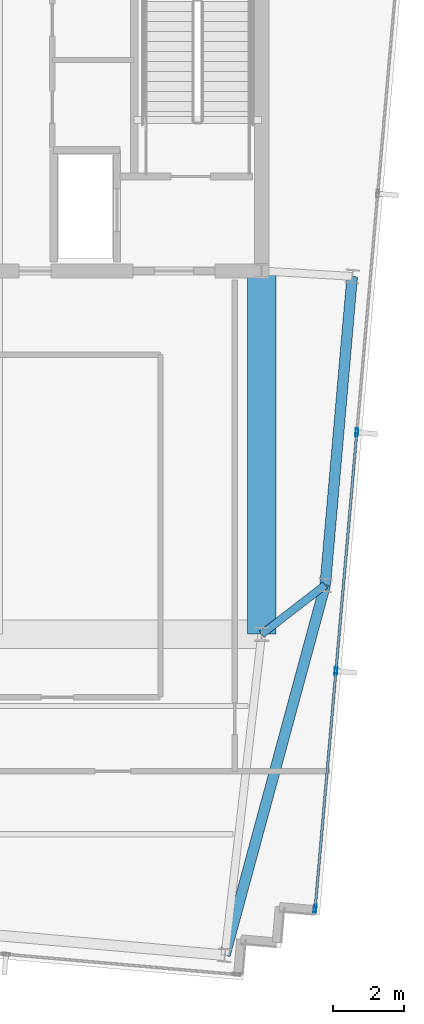
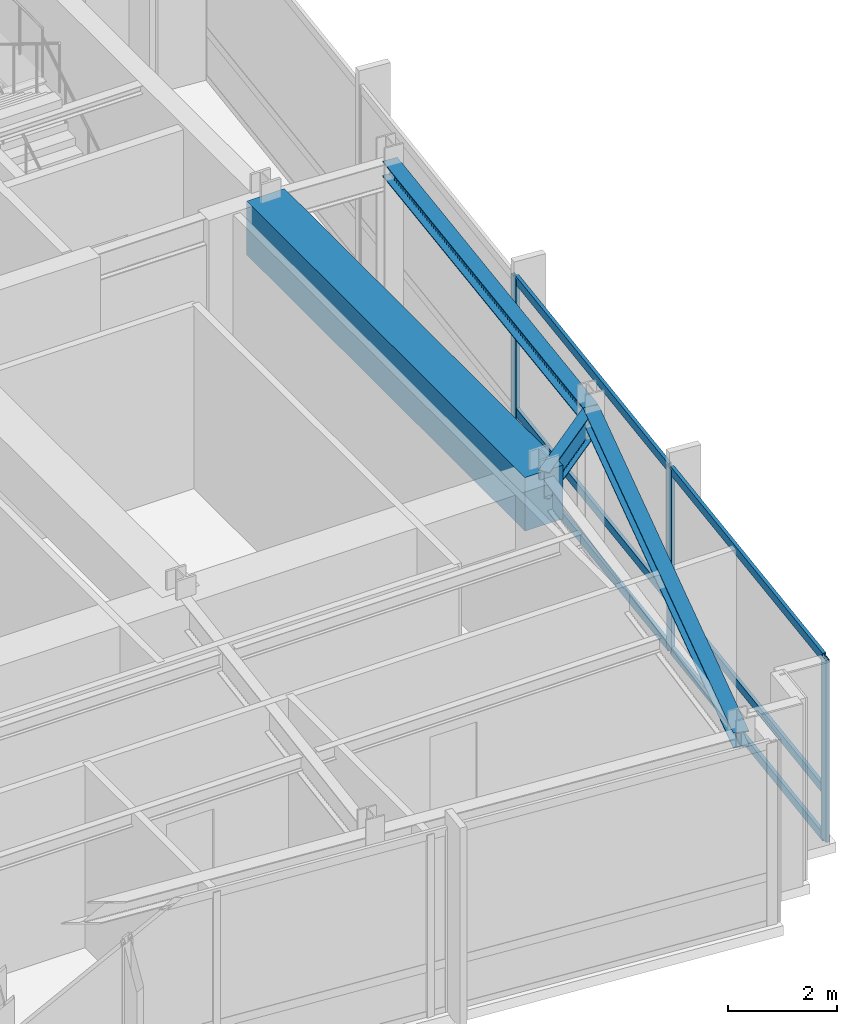
# One storey, part 12 of 25: 9 members, 4 beams, 1 element without a shape of its own.
"""IFC4 building model written with IfcOpenShell, lengths in metres."""

from ifc_helpers import new_model, si_unit, direction, frame, origin, origin_2d, place, context, subcontext, project, spatial, rectangle, hollow_rectangle, i_section, extrude, material, material_profile, profile_set, type_object, element, aggregate, save


model = new_model("IFC4")

# Units and contexts
model_context = context("Model", 3, precision=1e-05, world=origin(), true_north=direction((0.0, 1.0)))
body_context = subcontext(model_context, "Body", "Model", "MODEL_VIEW")
ifc_project = project(units=[si_unit("LENGTHUNIT", "METRE"), si_unit("AREAUNIT", "SQUARE_METRE"), si_unit("VOLUMEUNIT", "CUBIC_METRE"), si_unit("PLANEANGLEUNIT", "RADIAN"), si_unit("MASSUNIT", "GRAM", prefix="KILO")], contexts=[model_context])

# Site, building, storey
site_placement = place(None, origin())
site = spatial("IfcSite", under=ifc_project, at=site_placement, CompositionType="ELEMENT")
building_placement = place(site_placement, origin())
building = spatial("IfcBuilding", under=site, at=building_placement, Name="Yelkora Congress Tower", CompositionType="ELEMENT")
storey_placement = place(building_placement, frame((0.0, 0.0, 299.89990234375)))
storey = spatial("IfcBuildingStorey", under=building, at=storey_placement, Name="L84", CompositionType="ELEMENT", Elevation=299.89990234375)

# Beams
ifc_material_1 = material(Name="Steel S355J2", Category="steel")
ifc_material_profile_1 = material_profile(ifc_material_1, i_section(OverallWidth=0.219970703125, OverallDepth=0.60009765625, WebThickness=0.011962890625, FlangeThickness=0.01904296875, FilletRadius=0.02392578125, at=origin_2d()), Name="IPE 600")
ifc_profile_set_1 = profile_set([ifc_material_profile_1], Name="Steel S355J2")
beam_type_1 = type_object("IfcBeamType", Name="BM-GIRD-IPE600", PredefinedType="BEAM", material=ifc_profile_set_1)
beam_1_placement = place(storey_placement, frame((55.543701171875, 26.57861328125, 3.780029296875), z_axis=(-0.791208781933, -0.611546125318, 0.0), x_axis=(0.611546125318, -0.791208781933, 0.0)))
element("IfcBeam", 1, at=beam_1_placement, inside=storey, type_object=beam_type_1, Name="L84 Primary Frame Girder E01", PredefinedType="BEAM", context=body_context, shape_type="SweptSolid", body=[
    extrude(i_section(OverallWidth=0.219970703125, OverallDepth=0.60009765625, WebThickness=0.011962890625, FlangeThickness=0.01904296875, FilletRadius=0.02392578125, at=origin_2d()), origin(), (0.0, 0.0, 1.0), 2.25439453125),
])
ifc_material_profile_2 = material_profile(ifc_material_1, i_section(OverallWidth=0.300048828125, OverallDepth=0.340087890625, WebThickness=0.011962890625, FlangeThickness=0.021484375, FilletRadius=0.027099609375, at=origin_2d()), Name="HEB 340")
ifc_profile_set_2 = profile_set([ifc_material_profile_2], Name="Steel S355J2")
beam_type_2 = type_object("IfcBeamType", Name="BM-SPAN-HEB340", PredefinedType="SPANDREL", material=ifc_profile_set_2)
beam_2_placement = place(storey_placement, frame((52.727294921875, 16.1845703125, 3.91015625), z_axis=(0.261532523212, 0.965194663942, 0.0), x_axis=(-0.965194663942, 0.261532523212, 0.0)))
element("IfcBeam", 2, at=beam_2_placement, inside=storey, type_object=beam_type_2, Name="L84 Perimeter Beam 7", PredefinedType="SPANDREL", context=body_context, shape_type="SweptSolid", body=[
    extrude(i_section(OverallWidth=0.300048828125, OverallDepth=0.340087890625, WebThickness=0.011962890625, FlangeThickness=0.021484375, FilletRadius=0.027099609375, at=origin_2d()), origin(), (0.0, 0.0, 1.0), 10.768798828125),
])
beam_3_placement = place(storey_placement, frame((55.543701171875, 26.57861328125, 3.91015625), z_axis=(0.08715998813, 0.99619432666, 0.0), x_axis=(-0.99619432666, 0.08715998813, 0.0)))
element("IfcBeam", 3, at=beam_3_placement, inside=storey, type_object=beam_type_2, Name="L84 Perimeter Beam 8", PredefinedType="SPANDREL", context=body_context, shape_type="SweptSolid", body=[
    extrude(i_section(OverallWidth=0.300048828125, OverallDepth=0.340087890625, WebThickness=0.011962890625, FlangeThickness=0.021484375, FilletRadius=0.027099609375, at=origin_2d()), origin(), (0.0, 0.0, 1.0), 8.7001953125),
])
ifc_material_2 = material(Name="Concrete C60/75", Category="concrete")
ifc_material_profile_3 = material_profile(ifc_material_2, rectangle(XDim=0.800048828125, YDim=1.199951171875, at=origin_2d()), Name="RC 800x1200")
ifc_profile_set_3 = profile_set([ifc_material_profile_3], Name="Concrete C60/75")
beam_type_3 = type_object("IfcBeamType", Name="BM-XFER-RC1200", PredefinedType="BEAM", material=ifc_profile_set_3)
beam_4_placement = place(storey_placement, frame((53.760009765625, 35.39990234375, 3.47998046875), z_axis=(0.0, -1.0, 0.0), x_axis=(1.0, 0.0, 0.0)))
element("IfcBeam", 4, at=beam_4_placement, inside=storey, type_object=beam_type_3, Name="L84 Transfer Backspan Girder CRN-C11", PredefinedType="BEAM", context=body_context, shape_type="SweptSolid", body=[
    extrude(rectangle(XDim=0.800048828125, YDim=1.199951171875, at=origin_2d()), origin(), (0.0, 0.0, 1.0), 10.199951171875),
])

# Curtain wall, members
ifc_material_3 = material(Name="Anodised aluminium and insulated glass", Category="aluminium")
curtain_wall_type = type_object("IfcCurtainWallType", Name="CW-SYS-SKY", PredefinedType="NOTDEFINED", material=ifc_material_3)
curtain_wall_placement = place(storey_placement, origin())
curtain_wall = element("IfcCurtainWall", 5, at=curtain_wall_placement, inside=storey, type_object=curtain_wall_type, Name="L84 Unitised Curtain Wall 15", PredefinedType="NOTDEFINED")
ifc_material_4 = material(Name="Anodised aluminium 6063-T6", Category="aluminium")
ifc_material_profile_4 = material_profile(ifc_material_4, hollow_rectangle(XDim=0.074951171875, YDim=0.219970703125, WallThickness=0.0048828125, at=origin_2d()), Name="ALU 75x220x5")
ifc_profile_set_4 = profile_set([ifc_material_profile_4], Name="Anodised aluminium 6063-T6")
member_type_1 = type_object("IfcMemberType", Name="MEM-ML-SKY", PredefinedType="MULLION", material=ifc_profile_set_4)
member_1_placement = place(storey_placement, frame((56.430908203125, 30.867431640625, 0.0), z_axis=(0.0, 0.0, 1.0), x_axis=(0.996194463398, -0.087158425264, 0.0)))
member_1 = element("IfcMember", 6, at=member_1_placement, type_object=member_type_1, Name="CW-SKY mullion 3", PredefinedType="MULLION", context=body_context, shape_type="SweptSolid", body=[
    extrude(hollow_rectangle(XDim=0.074951171875, YDim=0.219970703125, WallThickness=0.0048828125, at=origin_2d()), origin(), (0.0, 0.0, 1.0), 4.080078125),
])
member_2_placement = place(storey_placement, frame((55.844482421875, 24.1630859375, 0.0), z_axis=(0.0, 0.0, 1.0), x_axis=(0.996194463398, -0.087158425264, 0.0)))
member_2 = element("IfcMember", 7, at=member_2_placement, type_object=member_type_1, Name="CW-SKY mullion 4", PredefinedType="MULLION", context=body_context, shape_type="SweptSolid", body=[
    extrude(hollow_rectangle(XDim=0.074951171875, YDim=0.219970703125, WallThickness=0.0048828125, at=origin_2d()), origin(), (0.0, 0.0, 1.0), 4.080078125),
])
member_3_placement = place(storey_placement, frame((55.260986328125, 17.49609375, 0.0), z_axis=(0.0, 0.0, 1.0), x_axis=(0.996194463398, -0.087158425264, 0.0)))
member_3 = element("IfcMember", 8, at=member_3_placement, type_object=member_type_1, Name="CW-SKY mullion 5", PredefinedType="MULLION", context=body_context, shape_type="SweptSolid", body=[
    extrude(hollow_rectangle(XDim=0.074951171875, YDim=0.219970703125, WallThickness=0.0048828125, at=origin_2d()), origin(), (0.0, 0.0, 1.0), 4.080078125),
])
ifc_material_profile_5 = material_profile(ifc_material_4, hollow_rectangle(XDim=0.070068359375, YDim=0.18994140625, WallThickness=0.00390625, at=origin_2d()), Name="ALU 70x190x4")
ifc_profile_set_5 = profile_set([ifc_material_profile_5], Name="Anodised aluminium 6063-T6")
member_type_2 = type_object("IfcMemberType", Name="MEM-TR-SKY", PredefinedType="USERDEFINED", material=ifc_profile_set_5)
member_4_placement = place(storey_placement, frame((56.427734375, 30.830078125, 0.03515625), z_axis=(-0.08716467486, -0.996193916593, 0.0), x_axis=(0.996193916593, -0.08716467486, 0.0)))
member_4 = element("IfcMember", 9, at=member_4_placement, type_object=member_type_2, Name="CW-SKY transom 3.1", ObjectType="TRANSOM", PredefinedType="USERDEFINED", context=body_context, shape_type="SweptSolid", body=[
    extrude(hollow_rectangle(XDim=0.070068359375, YDim=0.18994140625, WallThickness=0.00390625, at=origin_2d()), origin(), (0.0, 0.0, 1.0), 6.655029296875),
])
member_5_placement = place(storey_placement, frame((56.427734375, 30.830078125, 1.10009765625), z_axis=(-0.08716467486, -0.996193916593, 0.0), x_axis=(0.996193916593, -0.08716467486, 0.0)))
member_5 = element("IfcMember", 10, at=member_5_placement, type_object=member_type_2, Name="CW-SKY transom 3.2", ObjectType="TRANSOM", PredefinedType="USERDEFINED", context=body_context, shape_type="SweptSolid", body=[
    extrude(hollow_rectangle(XDim=0.070068359375, YDim=0.18994140625, WallThickness=0.00390625, at=origin_2d()), origin(), (0.0, 0.0, 1.0), 6.655029296875),
])
member_6_placement = place(storey_placement, frame((56.427734375, 30.830078125, 4.045166015625), z_axis=(-0.08716467486, -0.996193916593, 0.0), x_axis=(0.996193916593, -0.08716467486, 0.0)))
member_6 = element("IfcMember", 11, at=member_6_placement, type_object=member_type_2, Name="CW-SKY transom 3.3", ObjectType="TRANSOM", PredefinedType="USERDEFINED", context=body_context, shape_type="SweptSolid", body=[
    extrude(hollow_rectangle(XDim=0.070068359375, YDim=0.18994140625, WallThickness=0.00390625, at=origin_2d()), origin(), (0.0, 0.0, 1.0), 6.655029296875),
])
member_7_placement = place(storey_placement, frame((55.841064453125, 24.125732421875, 0.03515625), z_axis=(-0.087142236417, -0.99619587965, 0.0), x_axis=(0.99619587965, -0.087142236417, 0.0)))
member_7 = element("IfcMember", 12, at=member_7_placement, type_object=member_type_2, Name="CW-SKY transom 4.1", ObjectType="TRANSOM", PredefinedType="USERDEFINED", context=body_context, shape_type="SweptSolid", body=[
    extrude(hollow_rectangle(XDim=0.070068359375, YDim=0.18994140625, WallThickness=0.00390625, at=origin_2d()), origin(), (0.0, 0.0, 1.0), 6.617431640625),
])
member_8_placement = place(storey_placement, frame((55.841064453125, 24.125732421875, 1.10009765625), z_axis=(-0.087142236417, -0.99619587965, 0.0), x_axis=(0.99619587965, -0.087142236417, 0.0)))
member_8 = element("IfcMember", 13, at=member_8_placement, type_object=member_type_2, Name="CW-SKY transom 4.2", ObjectType="TRANSOM", PredefinedType="USERDEFINED", context=body_context, shape_type="SweptSolid", body=[
    extrude(hollow_rectangle(XDim=0.070068359375, YDim=0.18994140625, WallThickness=0.00390625, at=origin_2d()), origin(), (0.0, 0.0, 1.0), 6.617431640625),
])
member_9_placement = place(storey_placement, frame((55.841064453125, 24.125732421875, 4.045166015625), z_axis=(-0.087142236417, -0.99619587965, 0.0), x_axis=(0.99619587965, -0.087142236417, 0.0)))
member_9 = element("IfcMember", 14, at=member_9_placement, type_object=member_type_2, Name="CW-SKY transom 4.3", ObjectType="TRANSOM", PredefinedType="USERDEFINED", context=body_context, shape_type="SweptSolid", body=[
    extrude(hollow_rectangle(XDim=0.070068359375, YDim=0.18994140625, WallThickness=0.00390625, at=origin_2d()), origin(), (0.0, 0.0, 1.0), 6.617431640625),
])
aggregate(curtain_wall, [member_1, member_2, member_3, member_4, member_5, member_6, member_7, member_8, member_9])

save(model, "model.ifc")
